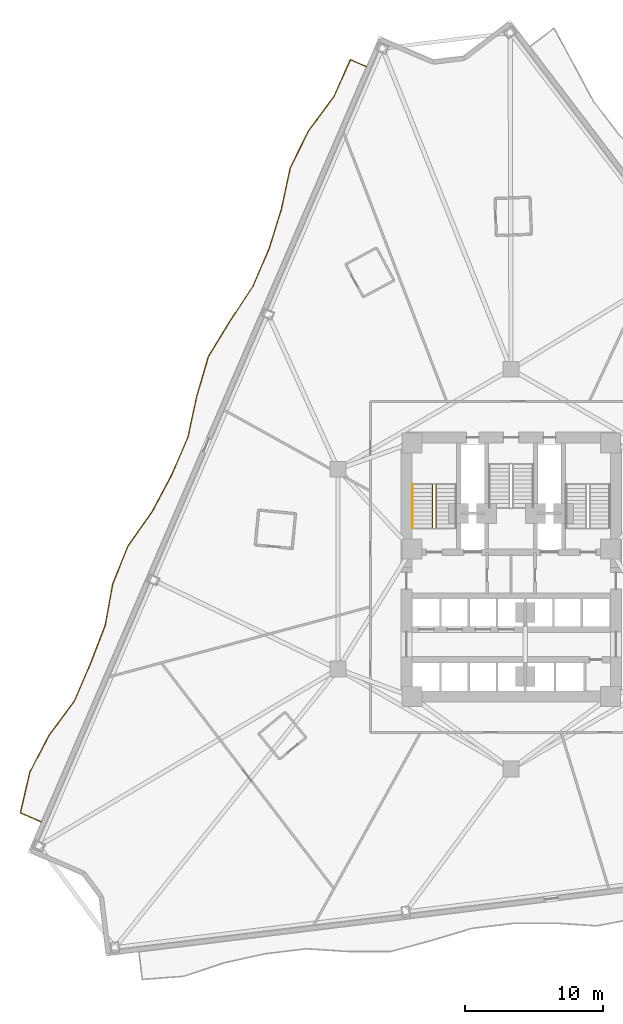
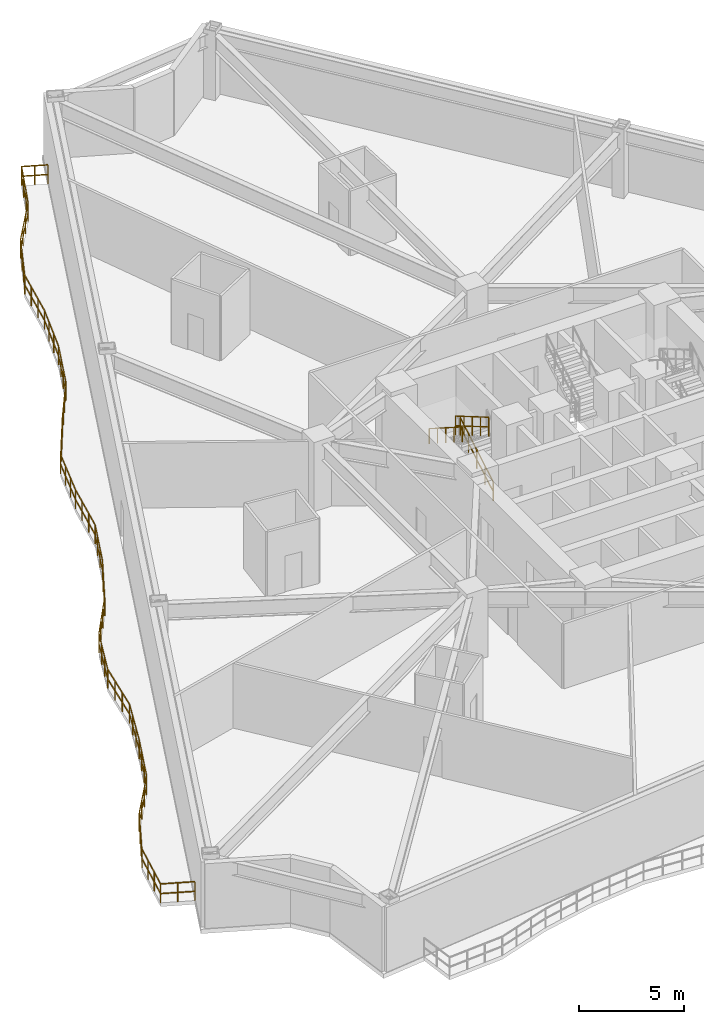
# One storey, part 11 of 13: 4 railings.
"""IFC4 building model written with IfcOpenShell, lengths in metres."""

from ifc_helpers import new_model, si_unit, direction, frame, origin, origin_2d, place, context, subcontext, project, spatial, rectangle, extrude, material, type_object, element, save


model = new_model("IFC4")

# Units and contexts
model_context = context("Model", 3, precision=1e-05, world=origin(), true_north=direction((0.0, 1.0)))
body_context = subcontext(model_context, "Body", "Model", "MODEL_VIEW")
ifc_project = project(units=[si_unit("LENGTHUNIT", "METRE"), si_unit("AREAUNIT", "SQUARE_METRE"), si_unit("VOLUMEUNIT", "CUBIC_METRE"), si_unit("PLANEANGLEUNIT", "RADIAN"), si_unit("MASSUNIT", "GRAM", prefix="KILO")], contexts=[model_context])

# Site, building, storey
site_placement = place(None, origin())
site = spatial("IfcSite", under=ifc_project, at=site_placement, CompositionType="ELEMENT")
building_placement = place(site_placement, origin())
building = spatial("IfcBuilding", under=site, at=building_placement, Name="Apsidion Concourse Tower", CompositionType="ELEMENT")
storey_placement = place(building_placement, frame((0.0, 0.0, 67.0)))
storey = spatial("IfcBuildingStorey", under=building, at=storey_placement, Name="L14", CompositionType="ELEMENT", Elevation=67.0)

# Railings
ifc_material = material(Name="Brushed stainless steel 316", Category="steel")
railing_type_1 = type_object("IfcRailingType", Name="RL-BAL-1120", PredefinedType="BALUSTRADE", material=ifc_material)
railing_1_placement = place(storey_placement, frame((-34.10107421875, -18.32958984375, 0.0)))
element("IfcRailing", 1, at=railing_1_placement, inside=storey, type_object=railing_type_1, Name="L14 Face 1 Rippling Balcony Balustrade", PredefinedType="BALUSTRADE", context=body_context, shape_type="SweptSolid", body=[
    extrude(rectangle(XDim=0.048095703125, YDim=0.048095703125, at=origin_2d()), frame((0.0, 0.0, 1.09619140625), z_axis=(-0.918503472897, 0.395412911115, 0.0), x_axis=(-0.395412911115, -0.918503472897, 0.0)), (0.0, 0.0, 1.0), 1.63671875),
    extrude(rectangle(XDim=0.048095703125, YDim=0.048095703125, at=origin_2d()), frame((0.0, 0.0, 0.5361328125), z_axis=(-0.918503472897, 0.395412911115, 0.0), x_axis=(-0.395412911115, -0.918503472897, 0.0)), (0.0, 0.0, 1.0), 1.63671875),
    extrude(rectangle(XDim=0.048095703125, YDim=0.048095703125, at=origin_2d()), frame((-1.50341796875, 0.647216796875, 1.09619140625), z_axis=(0.225347688665, 0.974278409498, 0.0), x_axis=(-0.974278409498, 0.225347688665, 0.0)), (0.0, 0.0, 1.0), 3.03125),
    extrude(rectangle(XDim=0.048095703125, YDim=0.048095703125, at=origin_2d()), frame((-1.50341796875, 0.647216796875, 0.5361328125), z_axis=(0.225347688665, 0.974278409498, 0.0), x_axis=(-0.974278409498, 0.225347688665, 0.0)), (0.0, 0.0, 1.0), 3.03125),
    extrude(rectangle(XDim=0.048095703125, YDim=0.048095703125, at=origin_2d()), frame((-0.8203125, 3.6005859375, 1.09619140625), z_axis=(0.463784370213, 0.885948112446, 0.0), x_axis=(-0.885948112446, 0.463784370213, 0.0)), (0.0, 0.0, 1.0), 2.99169921875),
    extrude(rectangle(XDim=0.048095703125, YDim=0.048095703125, at=origin_2d()), frame((-0.8203125, 3.6005859375, 0.5361328125), z_axis=(0.463784370213, 0.885948112446, 0.0), x_axis=(-0.885948112446, 0.463784370213, 0.0)), (0.0, 0.0, 1.0), 2.99169921875),
    extrude(rectangle(XDim=0.048095703125, YDim=0.048095703125, at=origin_2d()), frame((0.567138671875, 6.2509765625, 1.09619140625), z_axis=(0.595029362826, 0.803703961278, 0.0), x_axis=(-0.803703961278, 0.595029362826, 0.0)), (0.0, 0.0, 1.0), 3.064208984375),
    extrude(rectangle(XDim=0.048095703125, YDim=0.048095703125, at=origin_2d()), frame((0.567138671875, 6.2509765625, 0.5361328125), z_axis=(0.595029362826, 0.803703961278, 0.0), x_axis=(-0.803703961278, 0.595029362826, 0.0)), (0.0, 0.0, 1.0), 3.064208984375),
    extrude(rectangle(XDim=0.048095703125, YDim=0.048095703125, at=origin_2d()), frame((2.390380859375, 8.713623046875, 1.09619140625), z_axis=(0.395410399338, 0.918504554205, 0.0), x_axis=(-0.918504554205, 0.395410399338, 0.0)), (0.0, 0.0, 1.0), 2.98291015625),
    extrude(rectangle(XDim=0.048095703125, YDim=0.048095703125, at=origin_2d()), frame((2.390380859375, 8.713623046875, 0.5361328125), z_axis=(0.395410399338, 0.918504554205, 0.0), x_axis=(-0.918504554205, 0.395410399338, 0.0)), (0.0, 0.0, 1.0), 2.98291015625),
    extrude(rectangle(XDim=0.048095703125, YDim=0.048095703125, at=origin_2d()), frame((3.56982421875, 11.453369140625, 1.09619140625), z_axis=(0.360436478337, 0.93278376116, 0.0), x_axis=(-0.93278376116, 0.360436478337, 0.0)), (0.0, 0.0, 1.0), 2.985107421875),
    extrude(rectangle(XDim=0.048095703125, YDim=0.048095703125, at=origin_2d()), frame((3.56982421875, 11.453369140625, 0.5361328125), z_axis=(0.360436478337, 0.93278376116, 0.0), x_axis=(-0.93278376116, 0.360436478337, 0.0)), (0.0, 0.0, 1.0), 2.985107421875),
    extrude(rectangle(XDim=0.048095703125, YDim=0.048095703125, at=origin_2d()), frame((4.645751953125, 14.23779296875, 1.09619140625), z_axis=(0.178878420228, 0.983871186069, 0.0), x_axis=(-0.983871186069, 0.178878420228, 0.0)), (0.0, 0.0, 1.0), 3.061279296875),
    extrude(rectangle(XDim=0.048095703125, YDim=0.048095703125, at=origin_2d()), frame((4.645751953125, 14.23779296875, 0.5361328125), z_axis=(0.178878420228, 0.983871186069, 0.0), x_axis=(-0.983871186069, 0.178878420228, 0.0)), (0.0, 0.0, 1.0), 3.061279296875),
    extrude(rectangle(XDim=0.048095703125, YDim=0.048095703125, at=origin_2d()), frame((5.193359375, 17.249755859375, 1.09619140625), z_axis=(0.371954885397, 0.928250808365, 0.0), x_axis=(-0.928250808365, 0.371954885397, 0.0)), (0.0, 0.0, 1.0), 2.98388671875),
    extrude(rectangle(XDim=0.048095703125, YDim=0.048095703125, at=origin_2d()), frame((5.193359375, 17.249755859375, 0.5361328125), z_axis=(0.371954885397, 0.928250808365, 0.0), x_axis=(-0.928250808365, 0.371954885397, 0.0)), (0.0, 0.0, 1.0), 2.98388671875),
    extrude(rectangle(XDim=0.048095703125, YDim=0.048095703125, at=origin_2d()), frame((6.30322265625, 20.01953125, 1.09619140625), z_axis=(0.576371878404, 0.817187529142, 0.0), x_axis=(-0.817187529142, 0.576371878404, 0.0)), (0.0, 0.0, 1.0), 3.048583984375),
    extrude(rectangle(XDim=0.048095703125, YDim=0.048095703125, at=origin_2d()), frame((6.30322265625, 20.01953125, 0.5361328125), z_axis=(0.576371878404, 0.817187529142, 0.0), x_axis=(-0.817187529142, 0.576371878404, 0.0)), (0.0, 0.0, 1.0), 3.048583984375),
    extrude(rectangle(XDim=0.048095703125, YDim=0.048095703125, at=origin_2d()), frame((8.060302734375, 22.5107421875, 1.09619140625), z_axis=(0.470067426382, 0.882630508568, 0.0), x_axis=(-0.882630508568, 0.470067426382, 0.0)), (0.0, 0.0, 1.0), 2.9931640625),
    extrude(rectangle(XDim=0.048095703125, YDim=0.048095703125, at=origin_2d()), frame((8.060302734375, 22.5107421875, 0.5361328125), z_axis=(0.470067426382, 0.882630508568, 0.0), x_axis=(-0.882630508568, 0.470067426382, 0.0)), (0.0, 0.0, 1.0), 2.9931640625),
    extrude(rectangle(XDim=0.048095703125, YDim=0.048095703125, at=origin_2d()), frame((9.46728515625, 25.152587890625, 1.09619140625), z_axis=(0.395479447574, 0.9184748263, 0.0), x_axis=(-0.9184748263, 0.395479447574, 0.0)), (0.0, 0.0, 1.0), 2.98291015625),
    extrude(rectangle(XDim=0.048095703125, YDim=0.048095703125, at=origin_2d()), frame((9.46728515625, 25.152587890625, 0.5361328125), z_axis=(0.395479447574, 0.9184748263, 0.0), x_axis=(-0.9184748263, 0.395479447574, 0.0)), (0.0, 0.0, 1.0), 2.98291015625),
    extrude(rectangle(XDim=0.048095703125, YDim=0.048095703125, at=origin_2d()), frame((10.64697265625, 27.892333984375, 1.09619140625), z_axis=(0.211399154561, 0.977399814534, 0.0), x_axis=(-0.977399814534, 0.211399154561, 0.0)), (0.0, 0.0, 1.0), 3.03955078125),
    extrude(rectangle(XDim=0.048095703125, YDim=0.048095703125, at=origin_2d()), frame((10.64697265625, 27.892333984375, 0.5361328125), z_axis=(0.211399154561, 0.977399814534, 0.0), x_axis=(-0.977399814534, 0.211399154561, 0.0)), (0.0, 0.0, 1.0), 3.03955078125),
    extrude(rectangle(XDim=0.048095703125, YDim=0.048095703125, at=origin_2d()), frame((11.28955078125, 30.86328125, 1.09619140625), z_axis=(0.281088558786, 0.959681833797, 0.0), x_axis=(-0.959681833797, 0.281088558786, 0.0)), (0.0, 0.0, 1.0), 3.005126953125),
    extrude(rectangle(XDim=0.048095703125, YDim=0.048095703125, at=origin_2d()), frame((11.28955078125, 30.86328125, 0.5361328125), z_axis=(0.281088558786, 0.959681833797, 0.0), x_axis=(-0.959681833797, 0.281088558786, 0.0)), (0.0, 0.0, 1.0), 3.005126953125),
    extrude(rectangle(XDim=0.048095703125, YDim=0.048095703125, at=origin_2d()), frame((12.13427734375, 33.747314453125, 1.09619140625), z_axis=(0.5220528403, 0.852913144426, 0.0), x_axis=(-0.852913144426, 0.5220528403, 0.0)), (0.0, 0.0, 1.0), 3.013671875),
    extrude(rectangle(XDim=0.048095703125, YDim=0.048095703125, at=origin_2d()), frame((12.13427734375, 33.747314453125, 0.5361328125), z_axis=(0.5220528403, 0.852913144426, 0.0), x_axis=(-0.852913144426, 0.5220528403, 0.0)), (0.0, 0.0, 1.0), 3.013671875),
    extrude(rectangle(XDim=0.048095703125, YDim=0.048095703125, at=origin_2d()), frame((13.70751953125, 36.317626953125, 1.09619140625), z_axis=(0.547366661475, 0.836892907071, 0.0), x_axis=(-0.836892907071, 0.547366661475, 0.0)), (0.0, 0.0, 1.0), 3.028076171875),
    extrude(rectangle(XDim=0.048095703125, YDim=0.048095703125, at=origin_2d()), frame((13.70751953125, 36.317626953125, 0.5361328125), z_axis=(0.547366661475, 0.836892907071, 0.0), x_axis=(-0.836892907071, 0.547366661475, 0.0)), (0.0, 0.0, 1.0), 3.028076171875),
    extrude(rectangle(XDim=0.048095703125, YDim=0.048095703125, at=origin_2d()), frame((15.364990234375, 38.851806640625, 1.09619140625), z_axis=(0.395410399338, 0.918504554205, 0.0), x_axis=(-0.918504554205, 0.395410399338, 0.0)), (0.0, 0.0, 1.0), 2.98291015625),
    extrude(rectangle(XDim=0.048095703125, YDim=0.048095703125, at=origin_2d()), frame((15.364990234375, 38.851806640625, 0.5361328125), z_axis=(0.395410399338, 0.918504554205, 0.0), x_axis=(-0.918504554205, 0.395410399338, 0.0)), (0.0, 0.0, 1.0), 2.98291015625),
    extrude(rectangle(XDim=0.048095703125, YDim=0.048095703125, at=origin_2d()), frame((16.54443359375, 41.591552734375, 1.09619140625), z_axis=(0.296012635881, 0.95518402384, 0.0), x_axis=(-0.95518402384, 0.296012635881, 0.0)), (0.0, 0.0, 1.0), 2.999755859375),
    extrude(rectangle(XDim=0.048095703125, YDim=0.048095703125, at=origin_2d()), frame((16.54443359375, 41.591552734375, 0.5361328125), z_axis=(0.296012635881, 0.95518402384, 0.0), x_axis=(-0.95518402384, 0.296012635881, 0.0)), (0.0, 0.0, 1.0), 2.999755859375),
    extrude(rectangle(XDim=0.048095703125, YDim=0.048095703125, at=origin_2d()), frame((17.432373046875, 44.456787109375, 1.09619140625), z_axis=(0.210302240745, 0.977636418889, 0.0), x_axis=(-0.977636418889, 0.210302240745, 0.0)), (0.0, 0.0, 1.0), 3.04052734375),
    extrude(rectangle(XDim=0.048095703125, YDim=0.048095703125, at=origin_2d()), frame((17.432373046875, 44.456787109375, 0.5361328125), z_axis=(0.210302240745, 0.977636418889, 0.0), x_axis=(-0.977636418889, 0.210302240745, 0.0)), (0.0, 0.0, 1.0), 3.04052734375),
    extrude(rectangle(XDim=0.048095703125, YDim=0.048095703125, at=origin_2d()), frame((18.07177734375, 47.42919921875, 1.09619140625), z_axis=(0.44164657245, 0.89718911331, 0.0), x_axis=(-0.89718911331, 0.44164657245, 0.0)), (0.0, 0.0, 1.0), 2.98681640625),
    extrude(rectangle(XDim=0.048095703125, YDim=0.048095703125, at=origin_2d()), frame((18.07177734375, 47.42919921875, 0.5361328125), z_axis=(0.44164657245, 0.89718911331, 0.0), x_axis=(-0.89718911331, 0.44164657245, 0.0)), (0.0, 0.0, 1.0), 2.98681640625),
    extrude(rectangle(XDim=0.048095703125, YDim=0.048095703125, at=origin_2d()), frame((19.390869140625, 50.10888671875, 1.09619140625), z_axis=(0.596400252406, 0.802687198684, 0.0), x_axis=(-0.802687198684, 0.596400252406, 0.0)), (0.0, 0.0, 1.0), 3.065185546875),
    extrude(rectangle(XDim=0.048095703125, YDim=0.048095703125, at=origin_2d()), frame((19.390869140625, 50.10888671875, 0.5361328125), z_axis=(0.596400252406, 0.802687198684, 0.0), x_axis=(-0.802687198684, 0.596400252406, 0.0)), (0.0, 0.0, 1.0), 3.065185546875),
    extrude(rectangle(XDim=0.048095703125, YDim=0.048095703125, at=origin_2d()), frame((21.218994140625, 52.5693359375, 1.09619140625), z_axis=(0.409908667039, 0.912126572733, 0.0), x_axis=(-0.912126572733, 0.409908667039, 0.0)), (0.0, 0.0, 1.0), 2.9833984375),
    extrude(rectangle(XDim=0.048095703125, YDim=0.048095703125, at=origin_2d()), frame((21.218994140625, 52.5693359375, 0.5361328125), z_axis=(0.409908667039, 0.912126572733, 0.0), x_axis=(-0.912126572733, 0.409908667039, 0.0)), (0.0, 0.0, 1.0), 2.9833984375),
    extrude(rectangle(XDim=0.048095703125, YDim=0.048095703125, at=origin_2d()), frame((22.44189453125, 55.29052734375, 1.09619140625), z_axis=(0.918547942359, -0.395309597137, 0.0), x_axis=(0.395309597137, 0.918547942359, 0.0)), (0.0, 0.0, 1.0), 1.25),
    extrude(rectangle(XDim=0.048095703125, YDim=0.048095703125, at=origin_2d()), frame((22.44189453125, 55.29052734375, 0.5361328125), z_axis=(0.918547942359, -0.395309597137, 0.0), x_axis=(0.395309597137, 0.918547942359, 0.0)), (0.0, 0.0, 1.0), 1.25),
    extrude(rectangle(XDim=0.0419921875, YDim=0.0419921875, at=origin_2d()), origin(), (0.0, 0.0, 1.0), 1.072021484375),
    extrude(rectangle(XDim=0.0419921875, YDim=0.0419921875, at=origin_2d()), frame((-0.751708984375, 0.32373046875, 0.0)), (0.0, 0.0, 1.0), 1.072021484375),
    extrude(rectangle(XDim=0.0419921875, YDim=0.0419921875, at=origin_2d()), frame((-1.50341796875, 0.647216796875, 0.0)), (0.0, 0.0, 1.0), 1.072021484375),
    extrude(rectangle(XDim=0.0419921875, YDim=0.0419921875, at=origin_2d()), frame((-1.275634765625, 1.631591796875, 0.0)), (0.0, 0.0, 1.0), 1.072021484375),
    extrude(rectangle(XDim=0.0419921875, YDim=0.0419921875, at=origin_2d()), frame((-1.048095703125, 2.6162109375, 0.0)), (0.0, 0.0, 1.0), 1.072021484375),
    extrude(rectangle(XDim=0.0419921875, YDim=0.0419921875, at=origin_2d()), frame((-0.8203125, 3.6005859375, 0.0)), (0.0, 0.0, 1.0), 1.072021484375),
    extrude(rectangle(XDim=0.0419921875, YDim=0.0419921875, at=origin_2d()), frame((-0.35791015625, 4.484130859375, 0.0)), (0.0, 0.0, 1.0), 1.072021484375),
    extrude(rectangle(XDim=0.0419921875, YDim=0.0419921875, at=origin_2d()), frame((0.104736328125, 5.367431640625, 0.0)), (0.0, 0.0, 1.0), 1.072021484375),
    extrude(rectangle(XDim=0.0419921875, YDim=0.0419921875, at=origin_2d()), frame((0.567138671875, 6.2509765625, 0.0)), (0.0, 0.0, 1.0), 1.072021484375),
    extrude(rectangle(XDim=0.0419921875, YDim=0.0419921875, at=origin_2d()), frame((1.1748046875, 7.07177734375, 0.0)), (0.0, 0.0, 1.0), 1.072021484375),
    extrude(rectangle(XDim=0.0419921875, YDim=0.0419921875, at=origin_2d()), frame((1.78271484375, 7.892822265625, 0.0)), (0.0, 0.0, 1.0), 1.072021484375),
    extrude(rectangle(XDim=0.0419921875, YDim=0.0419921875, at=origin_2d()), frame((2.390380859375, 8.713623046875, 0.0)), (0.0, 0.0, 1.0), 1.072021484375),
    extrude(rectangle(XDim=0.0419921875, YDim=0.0419921875, at=origin_2d()), frame((2.783447265625, 9.626953125, 0.0)), (0.0, 0.0, 1.0), 1.072021484375),
    extrude(rectangle(XDim=0.0419921875, YDim=0.0419921875, at=origin_2d()), frame((3.1767578125, 10.5400390625, 0.0)), (0.0, 0.0, 1.0), 1.072021484375),
    extrude(rectangle(XDim=0.0419921875, YDim=0.0419921875, at=origin_2d()), frame((3.56982421875, 11.453369140625, 0.0)), (0.0, 0.0, 1.0), 1.072021484375),
    extrude(rectangle(XDim=0.0419921875, YDim=0.0419921875, at=origin_2d()), frame((3.928466796875, 12.381591796875, 0.0)), (0.0, 0.0, 1.0), 1.072021484375),
    extrude(rectangle(XDim=0.0419921875, YDim=0.0419921875, at=origin_2d()), frame((4.287109375, 13.3095703125, 0.0)), (0.0, 0.0, 1.0), 1.072021484375),
    extrude(rectangle(XDim=0.0419921875, YDim=0.0419921875, at=origin_2d()), frame((4.645751953125, 14.23779296875, 0.0)), (0.0, 0.0, 1.0), 1.072021484375),
    extrude(rectangle(XDim=0.0419921875, YDim=0.0419921875, at=origin_2d()), frame((4.828369140625, 15.24169921875, 0.0)), (0.0, 0.0, 1.0), 1.072021484375),
    extrude(rectangle(XDim=0.0419921875, YDim=0.0419921875, at=origin_2d()), frame((5.0107421875, 16.245849609375, 0.0)), (0.0, 0.0, 1.0), 1.072021484375),
    extrude(rectangle(XDim=0.0419921875, YDim=0.0419921875, at=origin_2d()), frame((5.193359375, 17.249755859375, 0.0)), (0.0, 0.0, 1.0), 1.072021484375),
    extrude(rectangle(XDim=0.0419921875, YDim=0.0419921875, at=origin_2d()), frame((5.563232421875, 18.173095703125, 0.0)), (0.0, 0.0, 1.0), 1.072021484375),
    extrude(rectangle(XDim=0.0419921875, YDim=0.0419921875, at=origin_2d()), frame((5.933349609375, 19.09619140625, 0.0)), (0.0, 0.0, 1.0), 1.072021484375),
    extrude(rectangle(XDim=0.0419921875, YDim=0.0419921875, at=origin_2d()), frame((6.30322265625, 20.01953125, 0.0)), (0.0, 0.0, 1.0), 1.072021484375),
    extrude(rectangle(XDim=0.0419921875, YDim=0.0419921875, at=origin_2d()), frame((6.888916015625, 20.849853515625, 0.0)), (0.0, 0.0, 1.0), 1.072021484375),
    extrude(rectangle(XDim=0.0419921875, YDim=0.0419921875, at=origin_2d()), frame((7.474609375, 21.680419921875, 0.0)), (0.0, 0.0, 1.0), 1.072021484375),
    extrude(rectangle(XDim=0.0419921875, YDim=0.0419921875, at=origin_2d()), frame((8.060302734375, 22.5107421875, 0.0)), (0.0, 0.0, 1.0), 1.072021484375),
    extrude(rectangle(XDim=0.0419921875, YDim=0.0419921875, at=origin_2d()), frame((8.529296875, 23.391357421875, 0.0)), (0.0, 0.0, 1.0), 1.072021484375),
    extrude(rectangle(XDim=0.0419921875, YDim=0.0419921875, at=origin_2d()), frame((8.998291015625, 24.27197265625, 0.0)), (0.0, 0.0, 1.0), 1.072021484375),
    extrude(rectangle(XDim=0.0419921875, YDim=0.0419921875, at=origin_2d()), frame((9.46728515625, 25.152587890625, 0.0)), (0.0, 0.0, 1.0), 1.072021484375),
    extrude(rectangle(XDim=0.0419921875, YDim=0.0419921875, at=origin_2d()), frame((9.860595703125, 26.06591796875, 0.0)), (0.0, 0.0, 1.0), 1.072021484375),
    extrude(rectangle(XDim=0.0419921875, YDim=0.0419921875, at=origin_2d()), frame((10.253662109375, 26.97900390625, 0.0)), (0.0, 0.0, 1.0), 1.072021484375),
    extrude(rectangle(XDim=0.0419921875, YDim=0.0419921875, at=origin_2d()), frame((10.64697265625, 27.892333984375, 0.0)), (0.0, 0.0, 1.0), 1.072021484375),
    extrude(rectangle(XDim=0.0419921875, YDim=0.0419921875, at=origin_2d()), frame((10.861083984375, 28.882568359375, 0.0)), (0.0, 0.0, 1.0), 1.072021484375),
    extrude(rectangle(XDim=0.0419921875, YDim=0.0419921875, at=origin_2d()), frame((11.075439453125, 29.873046875, 0.0)), (0.0, 0.0, 1.0), 1.072021484375),
    extrude(rectangle(XDim=0.0419921875, YDim=0.0419921875, at=origin_2d()), frame((11.28955078125, 30.86328125, 0.0)), (0.0, 0.0, 1.0), 1.072021484375),
    extrude(rectangle(XDim=0.0419921875, YDim=0.0419921875, at=origin_2d()), frame((11.571044921875, 31.82470703125, 0.0)), (0.0, 0.0, 1.0), 1.072021484375),
    extrude(rectangle(XDim=0.0419921875, YDim=0.0419921875, at=origin_2d()), frame((11.852783203125, 32.785888671875, 0.0)), (0.0, 0.0, 1.0), 1.072021484375),
    extrude(rectangle(XDim=0.0419921875, YDim=0.0419921875, at=origin_2d()), frame((12.13427734375, 33.747314453125, 0.0)), (0.0, 0.0, 1.0), 1.072021484375),
    extrude(rectangle(XDim=0.0419921875, YDim=0.0419921875, at=origin_2d()), frame((12.65869140625, 34.60400390625, 0.0)), (0.0, 0.0, 1.0), 1.072021484375),
    extrude(rectangle(XDim=0.0419921875, YDim=0.0419921875, at=origin_2d()), frame((13.18310546875, 35.4609375, 0.0)), (0.0, 0.0, 1.0), 1.072021484375),
    extrude(rectangle(XDim=0.0419921875, YDim=0.0419921875, at=origin_2d()), frame((13.70751953125, 36.317626953125, 0.0)), (0.0, 0.0, 1.0), 1.072021484375),
    extrude(rectangle(XDim=0.0419921875, YDim=0.0419921875, at=origin_2d()), frame((14.260009765625, 37.162353515625, 0.0)), (0.0, 0.0, 1.0), 1.072021484375),
    extrude(rectangle(XDim=0.0419921875, YDim=0.0419921875, at=origin_2d()), frame((14.8125, 38.007080078125, 0.0)), (0.0, 0.0, 1.0), 1.072021484375),
    extrude(rectangle(XDim=0.0419921875, YDim=0.0419921875, at=origin_2d()), frame((15.364990234375, 38.851806640625, 0.0)), (0.0, 0.0, 1.0), 1.072021484375),
    extrude(rectangle(XDim=0.0419921875, YDim=0.0419921875, at=origin_2d()), frame((15.758056640625, 39.76513671875, 0.0)), (0.0, 0.0, 1.0), 1.072021484375),
    extrude(rectangle(XDim=0.0419921875, YDim=0.0419921875, at=origin_2d()), frame((16.1513671875, 40.67822265625, 0.0)), (0.0, 0.0, 1.0), 1.072021484375),
    extrude(rectangle(XDim=0.0419921875, YDim=0.0419921875, at=origin_2d()), frame((16.54443359375, 41.591552734375, 0.0)), (0.0, 0.0, 1.0), 1.072021484375),
    extrude(rectangle(XDim=0.0419921875, YDim=0.0419921875, at=origin_2d()), frame((16.84033203125, 42.546630859375, 0.0)), (0.0, 0.0, 1.0), 1.072021484375),
    extrude(rectangle(XDim=0.0419921875, YDim=0.0419921875, at=origin_2d()), frame((17.136474609375, 43.501708984375, 0.0)), (0.0, 0.0, 1.0), 1.072021484375),
    extrude(rectangle(XDim=0.0419921875, YDim=0.0419921875, at=origin_2d()), frame((17.432373046875, 44.456787109375, 0.0)), (0.0, 0.0, 1.0), 1.072021484375),
    extrude(rectangle(XDim=0.0419921875, YDim=0.0419921875, at=origin_2d()), frame((17.6455078125, 45.447509765625, 0.0)), (0.0, 0.0, 1.0), 1.072021484375),
    extrude(rectangle(XDim=0.0419921875, YDim=0.0419921875, at=origin_2d()), frame((17.858642578125, 46.4384765625, 0.0)), (0.0, 0.0, 1.0), 1.072021484375),
    extrude(rectangle(XDim=0.0419921875, YDim=0.0419921875, at=origin_2d()), frame((18.07177734375, 47.42919921875, 0.0)), (0.0, 0.0, 1.0), 1.072021484375),
    extrude(rectangle(XDim=0.0419921875, YDim=0.0419921875, at=origin_2d()), frame((18.511474609375, 48.322509765625, 0.0)), (0.0, 0.0, 1.0), 1.072021484375),
    extrude(rectangle(XDim=0.0419921875, YDim=0.0419921875, at=origin_2d()), frame((18.951171875, 49.215576171875, 0.0)), (0.0, 0.0, 1.0), 1.072021484375),
    extrude(rectangle(XDim=0.0419921875, YDim=0.0419921875, at=origin_2d()), frame((19.390869140625, 50.10888671875, 0.0)), (0.0, 0.0, 1.0), 1.072021484375),
    extrude(rectangle(XDim=0.0419921875, YDim=0.0419921875, at=origin_2d()), frame((20.000244140625, 50.928955078125, 0.0)), (0.0, 0.0, 1.0), 1.072021484375),
    extrude(rectangle(XDim=0.0419921875, YDim=0.0419921875, at=origin_2d()), frame((20.609619140625, 51.749267578125, 0.0)), (0.0, 0.0, 1.0), 1.072021484375),
    extrude(rectangle(XDim=0.0419921875, YDim=0.0419921875, at=origin_2d()), frame((21.218994140625, 52.5693359375, 0.0)), (0.0, 0.0, 1.0), 1.072021484375),
    extrude(rectangle(XDim=0.0419921875, YDim=0.0419921875, at=origin_2d()), frame((21.626708984375, 53.476318359375, 0.0)), (0.0, 0.0, 1.0), 1.072021484375),
    extrude(rectangle(XDim=0.0419921875, YDim=0.0419921875, at=origin_2d()), frame((22.0341796875, 54.383544921875, 0.0)), (0.0, 0.0, 1.0), 1.072021484375),
    extrude(rectangle(XDim=0.0419921875, YDim=0.0419921875, at=origin_2d()), frame((22.44189453125, 55.29052734375, 0.0)), (0.0, 0.0, 1.0), 1.072021484375),
    extrude(rectangle(XDim=0.0419921875, YDim=0.0419921875, at=origin_2d()), frame((23.01611328125, 55.04345703125, 0.0)), (0.0, 0.0, 1.0), 1.072021484375),
    extrude(rectangle(XDim=0.0419921875, YDim=0.0419921875, at=origin_2d()), frame((23.590087890625, 54.79638671875, 0.0)), (0.0, 0.0, 1.0), 1.072021484375),
])
railing_type_2 = type_object("IfcRailingType", Name="RL-GUARD-1100", PredefinedType="GUARDRAIL", material=ifc_material)
railing_2_placement = place(storey_placement, frame((-5.449951171875, 3.0, 0.166748046875)))
element("IfcRailing", 2, at=railing_2_placement, inside=storey, type_object=railing_type_2, Name="L14 ST1 stair guard 1", PredefinedType="GUARDRAIL", context=body_context, shape_type="SweptSolid", body=[
    extrude(rectangle(XDim=0.048095703125, YDim=0.048095703125, at=origin_2d()), frame((0.0, 0.0, 1.09619140625), z_axis=(0.0, 0.863239559939, 0.504794475164), x_axis=(-1.0, 0.0, 0.0)), (0.0, 0.0, 1.0), 3.631591796875),
    extrude(rectangle(XDim=0.048095703125, YDim=0.048095703125, at=origin_2d()), frame((0.0, 0.0, 0.5361328125), z_axis=(0.0, 0.863239559939, 0.504794475164), x_axis=(-1.0, 0.0, 0.0)), (0.0, 0.0, 1.0), 3.631591796875),
    extrude(rectangle(XDim=0.0419921875, YDim=0.0419921875, at=origin_2d()), origin(), (0.0, 0.0, 1.0), 1.072021484375),
    extrude(rectangle(XDim=0.0419921875, YDim=0.0419921875, at=origin_2d()), frame((0.0, 0.78369140625, 0.458251953125)), (0.0, 0.0, 1.0), 1.072021484375),
    extrude(rectangle(XDim=0.0419921875, YDim=0.0419921875, at=origin_2d()), frame((0.0, 1.5673828125, 0.91650390625)), (0.0, 0.0, 1.0), 1.072021484375),
    extrude(rectangle(XDim=0.0419921875, YDim=0.0419921875, at=origin_2d()), frame((0.0, 2.351318359375, 1.375)), (0.0, 0.0, 1.0), 1.072021484375),
    extrude(rectangle(XDim=0.0419921875, YDim=0.0419921875, at=origin_2d()), frame((0.0, 3.135009765625, 1.833251953125)), (0.0, 0.0, 1.0), 1.072021484375),
])
railing_3_placement = place(storey_placement, frame((-5.699951171875, 6.135009765625, 2.166748046875)))
element("IfcRailing", 3, at=railing_3_placement, inside=storey, type_object=railing_type_2, Name="L14 ST1 stair guard 3", PredefinedType="GUARDRAIL", context=body_context, shape_type="SweptSolid", body=[
    extrude(rectangle(XDim=0.048095703125, YDim=0.048095703125, at=origin_2d()), frame((0.0, 0.0, 1.09619140625), z_axis=(0.0, -0.863239559939, 0.504794475164), x_axis=(1.0, 0.0, 0.0)), (0.0, 0.0, 1.0), 3.631591796875),
    extrude(rectangle(XDim=0.048095703125, YDim=0.048095703125, at=origin_2d()), frame((0.0, 0.0, 0.5361328125), z_axis=(0.0, -0.863239559939, 0.504794475164), x_axis=(1.0, 0.0, 0.0)), (0.0, 0.0, 1.0), 3.631591796875),
    extrude(rectangle(XDim=0.0419921875, YDim=0.0419921875, at=origin_2d()), origin(), (0.0, 0.0, 1.0), 1.072021484375),
    extrude(rectangle(XDim=0.0419921875, YDim=0.0419921875, at=origin_2d()), frame((0.0, -0.78369140625, 0.458251953125)), (0.0, 0.0, 1.0), 1.072021484375),
    extrude(rectangle(XDim=0.0419921875, YDim=0.0419921875, at=origin_2d()), frame((0.0, -1.5673828125, 0.91650390625)), (0.0, 0.0, 1.0), 1.072021484375),
    extrude(rectangle(XDim=0.0419921875, YDim=0.0419921875, at=origin_2d()), frame((0.0, -2.351318359375, 1.375)), (0.0, 0.0, 1.0), 1.072021484375),
    extrude(rectangle(XDim=0.0419921875, YDim=0.0419921875, at=origin_2d()), frame((0.0, -3.135009765625, 1.833251953125)), (0.0, 0.0, 1.0), 1.072021484375),
])
railing_type_3 = type_object("IfcRailingType", Name="RL-HAND-900", PredefinedType="HANDRAIL", material=ifc_material)
railing_4_placement = place(storey_placement, frame((-7.14990234375, 6.135009765625, 2.166748046875)))
element("IfcRailing", 4, at=railing_4_placement, inside=storey, type_object=railing_type_3, Name="L14 ST1 stair handrail 2", PredefinedType="HANDRAIL", context=body_context, shape_type="SweptSolid", body=[
    extrude(rectangle(XDim=0.048095703125, YDim=0.048095703125, at=origin_2d()), frame((0.0, 0.0, 0.8759765625), z_axis=(0.0, -0.843052688722, 0.537830980921), x_axis=(1.0, 0.0, 0.0)), (0.0, 0.0, 1.0), 3.71875),
    extrude(rectangle(XDim=0.0419921875, YDim=0.0419921875, at=origin_2d()), origin(), (0.0, 0.0, 1.0), 0.851806640625),
    extrude(rectangle(XDim=0.0419921875, YDim=0.0419921875, at=origin_2d()), frame((0.0, -0.78369140625, 0.5)), (0.0, 0.0, 1.0), 0.851806640625),
    extrude(rectangle(XDim=0.0419921875, YDim=0.0419921875, at=origin_2d()), frame((0.0, -1.5673828125, 1.0)), (0.0, 0.0, 1.0), 0.851806640625),
    extrude(rectangle(XDim=0.0419921875, YDim=0.0419921875, at=origin_2d()), frame((0.0, -2.351318359375, 1.5)), (0.0, 0.0, 1.0), 0.851806640625),
    extrude(rectangle(XDim=0.0419921875, YDim=0.0419921875, at=origin_2d()), frame((0.0, -3.135009765625, 2.0)), (0.0, 0.0, 1.0), 0.851806640625),
])

save(model, "model.ifc")
